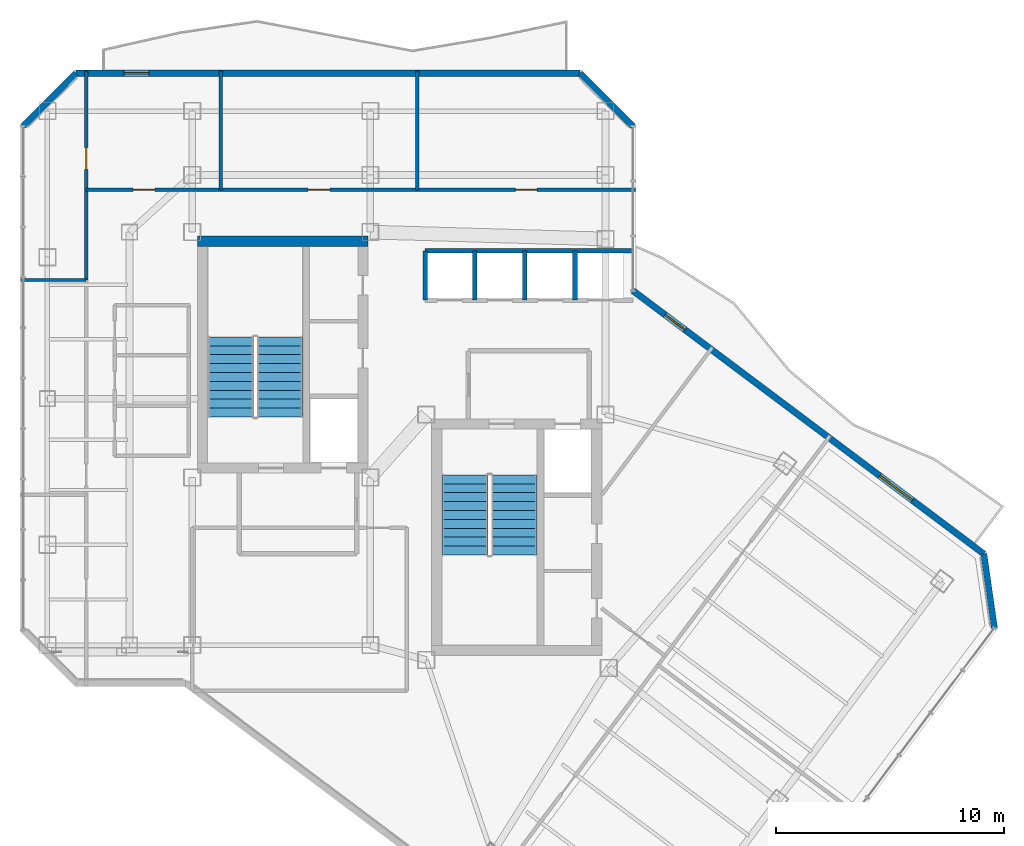
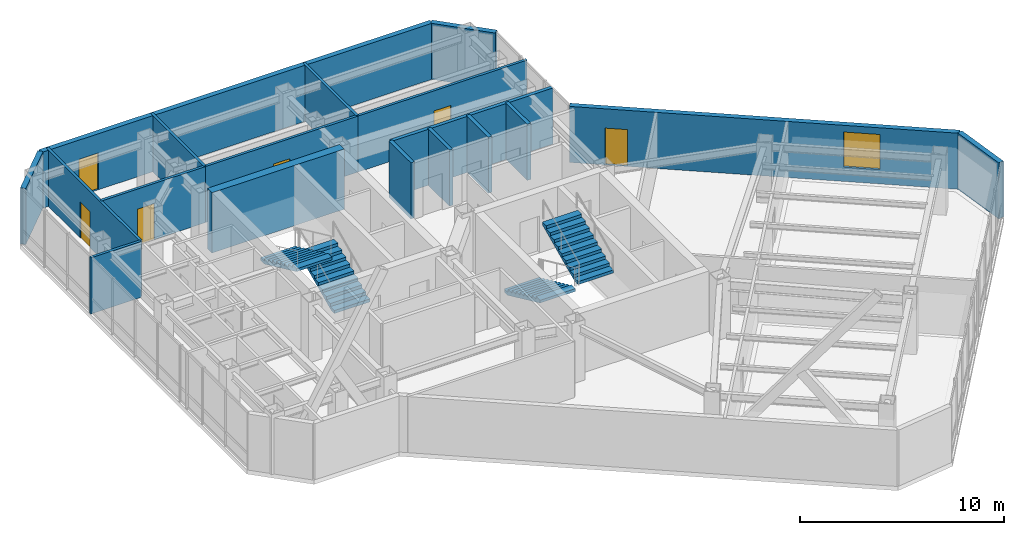
# One storey, part 21 of 24: 18 walls, 6 doors, 4 stair flights, 1 window, 7 openings, 2 elements without a shape of their own.
"""IFC4 building model written with IfcOpenShell, lengths in metres."""

from ifc_helpers import new_model, si_unit, direction, frame, frame_2d, origin, place, context, subcontext, project, spatial, polyline, rectangle, outline, extrude, material, layer, layer_set, type_object, element, fill, aggregate, save


model = new_model("IFC4")

# Units and contexts
model_context = context("Model", 3, precision=1e-05, world=origin(), true_north=direction((0.0, 1.0)))
body_context = subcontext(model_context, "Body", "Model", "MODEL_VIEW")
ifc_project = project(units=[si_unit("LENGTHUNIT", "METRE"), si_unit("AREAUNIT", "SQUARE_METRE"), si_unit("VOLUMEUNIT", "CUBIC_METRE"), si_unit("PLANEANGLEUNIT", "RADIAN"), si_unit("MASSUNIT", "GRAM", prefix="KILO")], contexts=[model_context])

# Site, building, storey
site_placement = place(None, origin())
site = spatial("IfcSite", under=ifc_project, at=site_placement, CompositionType="ELEMENT")
building_placement = place(site_placement, origin())
building = spatial("IfcBuilding", under=site, at=building_placement, Name="Hatsunagi Terrace Concourse", CompositionType="ELEMENT")
storey_placement = place(building_placement, frame((0.0, 0.0, 202.35009765625)))
storey = spatial("IfcBuildingStorey", under=building, at=storey_placement, Name="L53", CompositionType="ELEMENT", Elevation=202.35009765625)

# Walls
ifc_material_1 = material(Name="Concrete Fc42", Category="concrete")
ifc_layer_1 = layer(ifc_material_1, 0.449951171875)
ifc_layer_set_1 = layer_set([ifc_layer_1], Name="CoreShearWall_Fc42_450")
wall_type_1 = type_object("IfcWallType", Name="CoreShearWall_Fc42_450", PredefinedType="SHEAR", material=ifc_layer_set_1)
wall_1_placement = place(storey_placement, frame((25.77001953125, 42.89501953125, 0.0), z_axis=(0.0, 0.0, 1.0), x_axis=(1.0, 0.0, 0.0)))
element("IfcWall", 1, at=wall_1_placement, inside=storey, type_object=wall_type_1, Name="Core A Shear Wall N L53", PredefinedType="SHEAR", context=body_context, shape_type="SweptSolid", body=[
    extrude(rectangle(XDim=7.47998046875, YDim=0.449951171875, at=frame_2d((3.739990234375, 0.0))), origin(), (0.0, 0.0, 1.0), 3.599853515625),
])
ifc_material_2 = material(Name="Acoustic mineral board", Category="gypsum")
ifc_layer_2 = layer(ifc_material_2, 0.14990234375)
ifc_layer_set_2 = layer_set([ifc_layer_2], Name="PartitionWall_EI60_150")
wall_type_2 = type_object("IfcWallType", Name="PartitionWall_EI60_150", PredefinedType="PARTITIONING", material=ifc_layer_set_2)
wall_2_placement = place(storey_placement, frame((18.0400390625, 41.199951171875, 0.0), z_axis=(0.0, 0.0, 1.0), x_axis=(1.0, 0.0, 0.0)))
element("IfcWall", 2, at=wall_2_placement, inside=storey, type_object=wall_type_2, Name="Interior Partition IW-L53-031", PredefinedType="PARTITIONING", context=body_context, shape_type="SweptSolid", body=[
    extrude(rectangle(XDim=2.85986328125, YDim=0.14990234375, at=frame_2d((1.429931640625, 0.0))), origin(), (0.0, 0.0, 1.0), 3.349853515625),
])

# Wall, opening, door
wall_3_placement = place(storey_placement, frame((20.89990234375, 41.199951171875, 0.0), z_axis=(0.0, 0.0, 1.0), x_axis=(0.0, 1.0, 0.0)))
wall_3 = element("IfcWall", 3, at=wall_3_placement, inside=storey, type_object=wall_type_2, Name="Interior Partition IW-L53-033", PredefinedType="PARTITIONING", context=body_context, shape_type="SweptSolid", body=[
    extrude(rectangle(XDim=9.16015625, YDim=0.14990234375, at=frame_2d((4.580078125, 0.0))), origin(), (0.0, 0.0, 1.0), 3.349853515625),
])
opening_1_placement = place(wall_3_placement, frame((4.85009765625, 0.0, 0.0)))
opening_1 = element("IfcOpeningElement", 4, at=opening_1_placement, cuts=wall_3, Name="Opening DR-095", PredefinedType="OPENING", context=body_context, shape_type="SweptSolid", body=[
    extrude(rectangle(XDim=0.949951171875, YDim=2.14990234375, at=frame_2d((0.47509765625, 1.074951171875))), frame((0.0, 0.0849609375, 0.0), z_axis=(0.0, -1.0, 0.0), x_axis=(1.0, 0.0, 0.0)), (0.0, 0.0, 1.0), 0.169921875),
])
ifc_material_3 = material(Name="Hardwood timber", Category="wood")
door_type_1 = type_object("IfcDoorType", Name="InteriorSuiteDoor_EI30_950", OperationType="NOTDEFINED", PredefinedType="DOOR", material=ifc_material_3)
door_1_placement = place(opening_1_placement, origin())
door_1 = element("IfcDoor", 5, at=door_1_placement, inside=storey, type_object=door_type_1, Name="Boardroom L53-OW3 Door", OperationType="SINGLE_SWING_RIGHT", OverallHeight=2.14990234375, OverallWidth=0.949951171875, PredefinedType="DOOR", context=body_context, shape_type="SweptSolid", body=[
    extrude(rectangle(XDim=0.949951171875, YDim=2.14990234375, at=frame_2d((0.47509765625, 1.074951171875))), frame((0.0, 0.02490234375, 0.0), z_axis=(0.0, -1.0, 0.0), x_axis=(1.0, 0.0, 0.0)), (0.0, 0.0, 1.0), 0.050048828125),
])
fill(opening_1, door_1)

wall_4_placement = place(storey_placement, frame((20.89990234375, 45.14990234375, 0.0), z_axis=(0.0, 0.0, 1.0), x_axis=(1.0, 0.0, 0.0)))
wall_4 = element("IfcWall", 6, at=wall_4_placement, inside=storey, type_object=wall_type_2, Name="Interior Partition IW-L53-034", PredefinedType="PARTITIONING", context=body_context, shape_type="SweptSolid", body=[
    extrude(rectangle(XDim=5.900146484375, YDim=0.14990234375, at=frame_2d((2.9501953125, 0.0))), origin(), (0.0, 0.0, 1.0), 3.349853515625),
])
opening_2_placement = place(wall_4_placement, frame((2.055908203125, 0.0, 0.0)))
opening_2 = element("IfcOpeningElement", 7, at=opening_2_placement, cuts=wall_4, Name="Opening DR-095", PredefinedType="OPENING", context=body_context, shape_type="SweptSolid", body=[
    extrude(rectangle(XDim=0.949951171875, YDim=2.14990234375, at=frame_2d((0.47509765625, 1.074951171875))), frame((0.0, 0.0849609375, 0.0), z_axis=(0.0, -1.0, 0.0), x_axis=(1.0, 0.0, 0.0)), (0.0, 0.0, 1.0), 0.169921875),
])
door_2_placement = place(opening_2_placement, origin())
door_2 = element("IfcDoor", 8, at=door_2_placement, inside=storey, type_object=door_type_1, Name="Meeting Room L53-ON1 Door", OperationType="SINGLE_SWING_LEFT", OverallHeight=2.14990234375, OverallWidth=0.949951171875, PredefinedType="DOOR", context=body_context, shape_type="SweptSolid", body=[
    extrude(rectangle(XDim=0.949951171875, YDim=2.14990234375, at=frame_2d((0.47509765625, 1.074951171875))), frame((0.0, 0.02490234375, 0.0), z_axis=(0.0, -1.0, 0.0), x_axis=(1.0, 0.0, 0.0)), (0.0, 0.0, 1.0), 0.050048828125),
])
fill(opening_2, door_2)

# Wall
wall_5_placement = place(storey_placement, frame((26.800048828125, 45.14990234375, 0.0), z_axis=(0.0, 0.0, 1.0), x_axis=(0.0, 1.0, 0.0)))
element("IfcWall", 9, at=wall_5_placement, inside=storey, type_object=wall_type_2, Name="Interior Partition IW-L53-035", PredefinedType="PARTITIONING", context=body_context, shape_type="SweptSolid", body=[
    extrude(rectangle(XDim=5.210205078125, YDim=0.14990234375, at=frame_2d((2.60498046875, 0.0))), origin(), (0.0, 0.0, 1.0), 3.349853515625),
])

# Wall, opening, door
wall_6_placement = place(storey_placement, frame((26.800048828125, 45.14990234375, 0.0), z_axis=(0.0, 0.0, 1.0), x_axis=(1.0, 0.0, 0.0)))
wall_6 = element("IfcWall", 10, at=wall_6_placement, inside=storey, type_object=wall_type_2, Name="Interior Partition IW-L53-036", PredefinedType="PARTITIONING", context=body_context, shape_type="SweptSolid", body=[
    extrude(rectangle(XDim=8.599853515625, YDim=0.14990234375, at=frame_2d((4.2998046875, 0.0))), origin(), (0.0, 0.0, 1.0), 3.349853515625),
])
opening_3_placement = place(wall_6_placement, frame((3.824951171875, 0.0, 0.0)))
opening_3 = element("IfcOpeningElement", 11, at=opening_3_placement, cuts=wall_6, Name="Opening DR-095", PredefinedType="OPENING", context=body_context, shape_type="SweptSolid", body=[
    extrude(rectangle(XDim=0.949951171875, YDim=2.14990234375, at=frame_2d((0.47509765625, 1.074951171875))), frame((0.0, 0.0849609375, 0.0), z_axis=(0.0, -1.0, 0.0), x_axis=(1.0, 0.0, 0.0)), (0.0, 0.0, 1.0), 0.169921875),
])
door_3_placement = place(opening_3_placement, origin())
door_3 = element("IfcDoor", 12, at=door_3_placement, inside=storey, type_object=door_type_1, Name="Collaboration Lounge L53-ON2 Door", OperationType="SINGLE_SWING_RIGHT", OverallHeight=2.14990234375, OverallWidth=0.949951171875, PredefinedType="DOOR", context=body_context, shape_type="SweptSolid", body=[
    extrude(rectangle(XDim=0.949951171875, YDim=2.14990234375, at=frame_2d((0.47509765625, 1.074951171875))), frame((0.0, 0.02490234375, 0.0), z_axis=(0.0, -1.0, 0.0), x_axis=(1.0, 0.0, 0.0)), (0.0, 0.0, 1.0), 0.050048828125),
])
fill(opening_3, door_3)

# Wall
wall_7_placement = place(storey_placement, frame((35.39990234375, 45.14990234375, 0.0), z_axis=(0.0, 0.0, 1.0), x_axis=(0.0, 1.0, 0.0)))
element("IfcWall", 13, at=wall_7_placement, inside=storey, type_object=wall_type_2, Name="Interior Partition IW-L53-037", PredefinedType="PARTITIONING", context=body_context, shape_type="SweptSolid", body=[
    extrude(rectangle(XDim=5.210205078125, YDim=0.14990234375, at=frame_2d((2.60498046875, 0.0))), origin(), (0.0, 0.0, 1.0), 3.349853515625),
])

# Wall, opening, door
wall_8_placement = place(storey_placement, frame((35.39990234375, 45.14990234375, 0.0), z_axis=(0.0, 0.0, 1.0), x_axis=(1.0, 0.0, 0.0)))
wall_8 = element("IfcWall", 14, at=wall_8_placement, inside=storey, type_object=wall_type_2, Name="Interior Partition IW-L53-038", PredefinedType="PARTITIONING", context=body_context, shape_type="SweptSolid", body=[
    extrude(rectangle(XDim=9.56005859375, YDim=0.14990234375, at=frame_2d((4.780029296875, 0.0))), origin(), (0.0, 0.0, 1.0), 3.349853515625),
])
opening_4_placement = place(wall_8_placement, frame((4.304931640625, 0.0, 0.0)))
opening_4 = element("IfcOpeningElement", 15, at=opening_4_placement, cuts=wall_8, Name="Opening DR-095", PredefinedType="OPENING", context=body_context, shape_type="SweptSolid", body=[
    extrude(rectangle(XDim=0.949951171875, YDim=2.14990234375, at=frame_2d((0.47509765625, 1.074951171875))), frame((0.0, 0.0849609375, 0.0), z_axis=(0.0, -1.0, 0.0), x_axis=(1.0, 0.0, 0.0)), (0.0, 0.0, 1.0), 0.169921875),
])
door_4_placement = place(opening_4_placement, origin())
door_4 = element("IfcDoor", 16, at=door_4_placement, inside=storey, type_object=door_type_1, Name="Boardroom L53-ON3 Door", OperationType="SINGLE_SWING_RIGHT", OverallHeight=2.14990234375, OverallWidth=0.949951171875, PredefinedType="DOOR", context=body_context, shape_type="SweptSolid", body=[
    extrude(rectangle(XDim=0.949951171875, YDim=2.14990234375, at=frame_2d((0.47509765625, 1.074951171875))), frame((0.0, 0.02490234375, 0.0), z_axis=(0.0, -1.0, 0.0), x_axis=(1.0, 0.0, 0.0)), (0.0, 0.0, 1.0), 0.050048828125),
])
fill(opening_4, door_4)

# Walls
ifc_material_4 = material(Name="Acoustic mineral board", Category="gypsum")
ifc_layer_3 = layer(ifc_material_4, 0.199951171875)
ifc_layer_set_3 = layer_set([ifc_layer_3], Name="ShaftWall_EI120_200")
wall_type_3 = type_object("IfcWallType", Name="ShaftWall_EI120_200", PredefinedType="STANDARD", material=ifc_layer_set_3)
wall_9_placement = place(storey_placement, frame((35.75, 42.47998046875, 0.0), z_axis=(0.0, 0.0, 1.0), x_axis=(1.0, 0.0, 0.0)))
element("IfcWall", 17, at=wall_9_placement, inside=storey, type_object=wall_type_3, Name="Interior Partition IW-L53-011", PredefinedType="STANDARD", context=body_context, shape_type="SweptSolid", body=[
    extrude(rectangle(XDim=9.110107421875, YDim=0.199951171875, at=frame_2d((4.55517578125, 0.0))), origin(), (0.0, 0.0, 1.0), 3.349853515625),
])
for number, where, z_axis, x_axis, name in (
    (18, (35.75, 40.320068359375, 0.0), (0.0, 0.0, 1.0), (0.0, 1.0, 0.0), "Interior Partition IW-L53-012"),
    (19, (37.919921875, 40.320068359375, 0.0), (0.0, 0.0, 1.0), (0.0, 1.0, 0.0), "Interior Partition IW-L53-013"),
    (20, (40.1201171875, 40.320068359375, 0.0), (0.0, 0.0, 1.0), (0.0, 1.0, 0.0), "Interior Partition IW-L53-014"),
    (21, (42.320068359375, 40.320068359375, 0.0), (0.0, 0.0, 1.0), (0.0, 1.0, 0.0), "Interior Partition IW-L53-015"),
):
    element("IfcWall", number, at=place(storey_placement, frame(where, z_axis=z_axis, x_axis=x_axis)), inside=storey, type_object=wall_type_3, Name=name, PredefinedType="STANDARD", context=body_context, shape_type="SweptSolid", body=[
        extrude(rectangle(XDim=2.159912109375, YDim=0.199951171875, at=frame_2d((1.080078125, 0.0))), origin(), (0.0, 0.0, 1.0), 3.349853515625),
    ])

# Wall, openings, door, window
ifc_material_5 = material(Name="Autoclaved Lightweight Concrete and Terracotta Cladding", Category="masonry")
ifc_layer_4 = layer(ifc_material_5, 0.280029296875)
ifc_layer_set_4 = layer_set([ifc_layer_4], Name="TerracottaSpandrelWall_280")
wall_type_4 = type_object("IfcWallType", Name="TerracottaSpandrelWall_280", PredefinedType="STANDARD", material=ifc_layer_set_4)
wall_10_placement = place(storey_placement, frame((44.860107421875, 40.72998046875, 0.0), z_axis=(0.0, 0.0, 1.0), x_axis=(0.800007624502, -0.599989833863, 0.0)))
wall_10 = element("IfcWall", 22, at=wall_10_placement, inside=storey, type_object=wall_type_4, Name="Exterior Spandrel Wall EW-L53-01", PredefinedType="STANDARD", context=body_context, shape_type="SweptSolid", body=[
    extrude(rectangle(XDim=19.212158203125, YDim=0.280029296875, at=frame_2d((9.60595703125, 0.0))), origin(), (0.0, 0.0, 1.0), 3.349853515625),
])
opening_5_placement = place(wall_10_placement, frame((1.7548828125, 0.0, 0.0)))
opening_5 = element("IfcOpeningElement", 23, at=opening_5_placement, cuts=wall_10, Name="Opening BD-01", PredefinedType="OPENING", context=body_context, shape_type="SweptSolid", body=[
    extrude(rectangle(XDim=1.10009765625, YDim=2.199951171875, at=frame_2d((0.550048828125, 1.10009765625))), frame((0.0, 0.14990234375, 0.0), z_axis=(0.0, -1.0, 0.0), x_axis=(1.0, 0.0, 0.0)), (0.0, 0.0, 1.0), 0.300048828125),
])
opening_6_placement = place(wall_10_placement, frame((13.509033203125, 0.0, 0.85009765625)))
opening_6 = element("IfcOpeningElement", 24, at=opening_6_placement, cuts=wall_10, Name="Opening WIN-03", PredefinedType="OPENING", context=body_context, shape_type="SweptSolid", body=[
    extrude(rectangle(XDim=1.800048828125, YDim=2.10009765625, at=frame_2d((0.89990234375, 1.050048828125))), frame((0.0, 0.14990234375, 0.0), z_axis=(0.0, -1.0, 0.0), x_axis=(1.0, 0.0, 0.0)), (0.0, 0.0, 1.0), 0.300048828125),
])
ifc_material_6 = material(Name="Galvanised Steel and Laminated Safety Glass", Category="steel")
door_type_2 = type_object("IfcDoorType", Name="BalconyTerraceAccessDoor_1100x2200", OperationType="SINGLE_SWING_LEFT", PredefinedType="DOOR", material=ifc_material_6)
door_5_placement = place(opening_5_placement, origin())
door_5 = element("IfcDoor", 25, at=door_5_placement, inside=storey, type_object=door_type_2, Name="Engawa Balcony Door L53-BSE", OperationType="SINGLE_SWING_LEFT", OverallHeight=2.199951171875, OverallWidth=1.10009765625, PredefinedType="DOOR", context=body_context, shape_type="SweptSolid", body=[
    extrude(rectangle(XDim=1.10009765625, YDim=2.199951171875, at=frame_2d((0.550048828125, 1.10009765625))), frame((0.0, 0.02490234375, 0.0), z_axis=(0.0, -1.0, 0.0), x_axis=(1.0, 0.0, 0.0)), (0.0, 0.0, 1.0), 0.050048828125),
])
fill(opening_5, door_5)
ifc_material_7 = material(Name="Thermally Broken Aluminium and Low-E Triple Glazing", Category="aluminium")
window_type = type_object("IfcWindowType", Name="OfficeCornerFeatureWindow_1800x2100", PartitioningType="SINGLE_PANEL", PredefinedType="WINDOW", material=ifc_material_7)
window_placement = place(opening_6_placement, origin())
window = element("IfcWindow", 26, at=window_placement, inside=storey, type_object=window_type, Name="Balcony Daylighting Window L53-01-2", OverallHeight=2.10009765625, OverallWidth=1.800048828125, PartitioningType="SINGLE_PANEL", PredefinedType="WINDOW", context=body_context, shape_type="SweptSolid", body=[
    extrude(rectangle(XDim=1.800048828125, YDim=2.10009765625, at=frame_2d((0.89990234375, 1.050048828125))), frame((0.0, 0.030029296875, 0.0), z_axis=(0.0, -1.0, 0.0), x_axis=(1.0, 0.0, 0.0)), (0.0, 0.0, 1.0), 0.06005859375),
])
fill(opening_6, window)

# Walls
wall_11_placement = place(storey_placement, frame((60.22998046875, 29.202880859375, 0.0), z_axis=(0.0, 0.0, 1.0), x_axis=(0.141296221922, -0.989967361922, 0.0)))
element("IfcWall", 27, at=wall_11_placement, inside=storey, type_object=wall_type_4, Name="Exterior Spandrel Wall EW-L53-02", PredefinedType="STANDARD", context=body_context, shape_type="SweptSolid", body=[
    extrude(rectangle(XDim=3.27783203125, YDim=0.280029296875, at=frame_2d((1.638916015625, 0.0))), origin(), (0.0, 0.0, 1.0), 3.349853515625),
])
wall_12_placement = place(storey_placement, frame((18.139892578125, 47.94189453125, 0.0), z_axis=(0.0, 0.0, 1.0), x_axis=(0.707106781187, 0.707106781187, 0.0)))
element("IfcWall", 28, at=wall_12_placement, inside=storey, type_object=wall_type_4, Name="Exterior Spandrel Wall EW-L53-09", PredefinedType="STANDARD", context=body_context, shape_type="SweptSolid", body=[
    extrude(rectangle(XDim=3.2783203125, YDim=0.280029296875, at=frame_2d((1.63916015625, 0.0))), origin(), (0.0, 0.0, 1.0), 3.349853515625),
])

# Wall, opening, door
wall_13_placement = place(storey_placement, frame((20.4580078125, 50.260009765625, 0.0), z_axis=(0.0, 0.0, 1.0), x_axis=(1.0, 0.0, 0.0)))
wall_13 = element("IfcWall", 29, at=wall_13_placement, inside=storey, type_object=wall_type_4, Name="Exterior Spandrel Wall EW-L53-10", PredefinedType="STANDARD", context=body_context, shape_type="SweptSolid", body=[
    extrude(rectangle(XDim=22.083984375, YDim=0.280029296875, at=frame_2d((11.0419921875, 0.0))), origin(), (0.0, 0.0, 1.0), 3.349853515625),
])
opening_7_placement = place(wall_13_placement, frame((2.10009765625, 0.0, 0.0)))
opening_7 = element("IfcOpeningElement", 30, at=opening_7_placement, cuts=wall_13, Name="Opening BD-01", PredefinedType="OPENING", context=body_context, shape_type="SweptSolid", body=[
    extrude(rectangle(XDim=1.10009765625, YDim=2.199951171875, at=frame_2d((0.550048828125, 1.10009765625))), frame((0.0, 0.14990234375, 0.0), z_axis=(0.0, -1.0, 0.0), x_axis=(1.0, 0.0, 0.0)), (0.0, 0.0, 1.0), 0.300048828125),
])
door_6_placement = place(opening_7_placement, origin())
door_6 = element("IfcDoor", 31, at=door_6_placement, inside=storey, type_object=door_type_2, Name="Engawa Balcony Door L53-BN", OperationType="SINGLE_SWING_RIGHT", OverallHeight=2.199951171875, OverallWidth=1.10009765625, PredefinedType="DOOR", context=body_context, shape_type="SweptSolid", body=[
    extrude(rectangle(XDim=1.10009765625, YDim=2.199951171875, at=frame_2d((0.550048828125, 1.10009765625))), frame((0.0, 0.02490234375, 0.0), z_axis=(0.0, -1.0, 0.0), x_axis=(1.0, 0.0, 0.0)), (0.0, 0.0, 1.0), 0.050048828125),
])
fill(opening_7, door_6)

# Wall
wall_14_placement = place(storey_placement, frame((42.5419921875, 50.260009765625, 0.0), z_axis=(0.0, 0.0, 1.0), x_axis=(0.707106781187, -0.707106781187, 0.0)))
element("IfcWall", 32, at=wall_14_placement, inside=storey, type_object=wall_type_4, Name="Exterior Spandrel Wall EW-L53-11", PredefinedType="STANDARD", context=body_context, shape_type="SweptSolid", body=[
    extrude(rectangle(XDim=3.2783203125, YDim=0.280029296875, at=frame_2d((1.63916015625, 0.0))), origin(), (0.0, 0.0, 1.0), 3.349853515625),
])

# Stair, stair flights
ifc_material_8 = material(Name="Concrete Fc42", Category="concrete")
stair_type = type_object("IfcStairType", Name="DoglegExitStair_Tower2000_20R_180", PredefinedType="HALF_TURN_STAIR", material=ifc_material_8)
stair_1_placement = place(storey_placement, origin())
stair_1 = element("IfcStair", 33, at=stair_1_placement, inside=storey, type_object=stair_type, Name="L53 Core A Protected Exit Stair ST-A", PredefinedType="HALF_TURN_STAIR")
ifc_material_9 = material(Name="Concrete Fc42", Category="concrete")
stair_flight_type = type_object("IfcStairFlightType", Name="DoglegStairFlight_Tower2000_20R_180", PredefinedType="STRAIGHT", material=ifc_material_9)
stair_flight_1_placement = place(storey_placement, frame((29.3798828125, 35.199951171875, 0.0), z_axis=(0.0, 0.0, 1.0), x_axis=(0.0, 1.0, 0.0)))
stair_flight_1 = element("IfcStairFlight", 34, at=stair_flight_1_placement, type_object=stair_flight_type, Name="ST-A flight 1", NumberOfRisers=10, NumberOfTreads=9, PredefinedType="STRAIGHT", RiserHeight=0.18, TreadLength=0.39, context=body_context, shape_type="SweptSolid", body=[
    extrude(outline(polyline([(0.0, 0.0), (0.0, 0.179931640625), (0.389892578125, 0.179931640625), (0.389892578125, 0.360107421875), (0.780029296875, 0.360107421875), (0.780029296875, 0.5400390625), (1.169921875, 0.5400390625), (1.169921875, 0.719970703125), (1.56005859375, 0.719970703125), (1.56005859375, 0.89990234375), (1.949951171875, 0.89990234375), (1.949951171875, 1.080078125), (2.340087890625, 1.080078125), (2.340087890625, 1.260009765625), (2.72998046875, 1.260009765625), (2.72998046875, 1.43994140625), (3.1201171875, 1.43994140625), (3.1201171875, 1.6201171875), (3.510009765625, 1.6201171875), (3.510009765625, 1.800048828125), (3.510009765625, 1.454833984375), (0.357666015625, 0.0), (0.0, 0.0)])), frame((0.0, 1.0, 0.0), z_axis=(0.0, -1.0, 0.0), x_axis=(1.0, 0.0, 0.0)), (0.0, 0.0, 1.0), 2.0),
])
stair_flight_2_placement = place(storey_placement, frame((27.22998046875, 38.7099609375, 1.7998046875), z_axis=(0.0, 0.0, 1.0), x_axis=(0.0, -1.0, 0.0)))
stair_flight_2 = element("IfcStairFlight", 35, at=stair_flight_2_placement, type_object=stair_flight_type, Name="ST-A flight 2", NumberOfRisers=10, NumberOfTreads=9, PredefinedType="STRAIGHT", RiserHeight=0.18, TreadLength=0.39, context=body_context, shape_type="SweptSolid", body=[
    extrude(outline(polyline([(0.0, 0.0), (0.0, 0.179931640625), (0.389892578125, 0.179931640625), (0.389892578125, 0.360107421875), (0.780029296875, 0.360107421875), (0.780029296875, 0.5400390625), (1.169921875, 0.5400390625), (1.169921875, 0.719970703125), (1.56005859375, 0.719970703125), (1.56005859375, 0.89990234375), (1.949951171875, 0.89990234375), (1.949951171875, 1.080078125), (2.340087890625, 1.080078125), (2.340087890625, 1.260009765625), (2.72998046875, 1.260009765625), (2.72998046875, 1.43994140625), (3.1201171875, 1.43994140625), (3.1201171875, 1.6201171875), (3.510009765625, 1.6201171875), (3.510009765625, 1.800048828125), (3.510009765625, 1.454833984375), (0.357666015625, 0.0), (0.0, 0.0)])), frame((0.0, 1.0, 0.0), z_axis=(0.0, -1.0, 0.0), x_axis=(1.0, 0.0, 0.0)), (0.0, 0.0, 1.0), 2.0),
])
aggregate(stair_1, [stair_flight_1, stair_flight_2])

stair_2_placement = place(storey_placement, origin())
stair_2 = element("IfcStair", 36, at=stair_2_placement, inside=storey, type_object=stair_type, Name="L53 Core B Protected Exit Stair ST-B", PredefinedType="HALF_TURN_STAIR")
stair_flight_3_placement = place(storey_placement, frame((37.5, 32.659912109375, 0.0), z_axis=(0.0, 0.0, 1.0), x_axis=(0.0, -1.0, 0.0)))
stair_flight_3 = element("IfcStairFlight", 37, at=stair_flight_3_placement, type_object=stair_flight_type, Name="ST-B flight 1", NumberOfRisers=10, NumberOfTreads=9, PredefinedType="STRAIGHT", RiserHeight=0.18, TreadLength=0.39, context=body_context, shape_type="SweptSolid", body=[
    extrude(outline(polyline([(0.0, 0.0), (0.0, 0.179931640625), (0.389892578125, 0.179931640625), (0.389892578125, 0.360107421875), (0.780029296875, 0.360107421875), (0.780029296875, 0.5400390625), (1.169921875, 0.5400390625), (1.169921875, 0.719970703125), (1.56005859375, 0.719970703125), (1.56005859375, 0.89990234375), (1.949951171875, 0.89990234375), (1.949951171875, 1.080078125), (2.340087890625, 1.080078125), (2.340087890625, 1.260009765625), (2.72998046875, 1.260009765625), (2.72998046875, 1.43994140625), (3.1201171875, 1.43994140625), (3.1201171875, 1.6201171875), (3.510009765625, 1.6201171875), (3.510009765625, 1.800048828125), (3.510009765625, 1.454833984375), (0.357666015625, 0.0), (0.0, 0.0)])), frame((0.0, 1.0, 0.0), z_axis=(0.0, -1.0, 0.0), x_axis=(1.0, 0.0, 0.0)), (0.0, 0.0, 1.0), 2.0),
])
stair_flight_4_placement = place(storey_placement, frame((39.64990234375, 29.14990234375, 1.7998046875), z_axis=(0.0, 0.0, 1.0), x_axis=(0.0, 1.0, 0.0)))
stair_flight_4 = element("IfcStairFlight", 38, at=stair_flight_4_placement, type_object=stair_flight_type, Name="ST-B flight 2", NumberOfRisers=10, NumberOfTreads=9, PredefinedType="STRAIGHT", RiserHeight=0.18, TreadLength=0.39, context=body_context, shape_type="SweptSolid", body=[
    extrude(outline(polyline([(0.0, 0.0), (0.0, 0.179931640625), (0.389892578125, 0.179931640625), (0.389892578125, 0.360107421875), (0.780029296875, 0.360107421875), (0.780029296875, 0.5400390625), (1.169921875, 0.5400390625), (1.169921875, 0.719970703125), (1.56005859375, 0.719970703125), (1.56005859375, 0.89990234375), (1.949951171875, 0.89990234375), (1.949951171875, 1.080078125), (2.340087890625, 1.080078125), (2.340087890625, 1.260009765625), (2.72998046875, 1.260009765625), (2.72998046875, 1.43994140625), (3.1201171875, 1.43994140625), (3.1201171875, 1.6201171875), (3.510009765625, 1.6201171875), (3.510009765625, 1.800048828125), (3.510009765625, 1.454833984375), (0.357666015625, 0.0), (0.0, 0.0)])), frame((0.0, 1.0, 0.0), z_axis=(0.0, -1.0, 0.0), x_axis=(1.0, 0.0, 0.0)), (0.0, 0.0, 1.0), 2.0),
])
aggregate(stair_2, [stair_flight_3, stair_flight_4])

save(model, "model.ifc")
